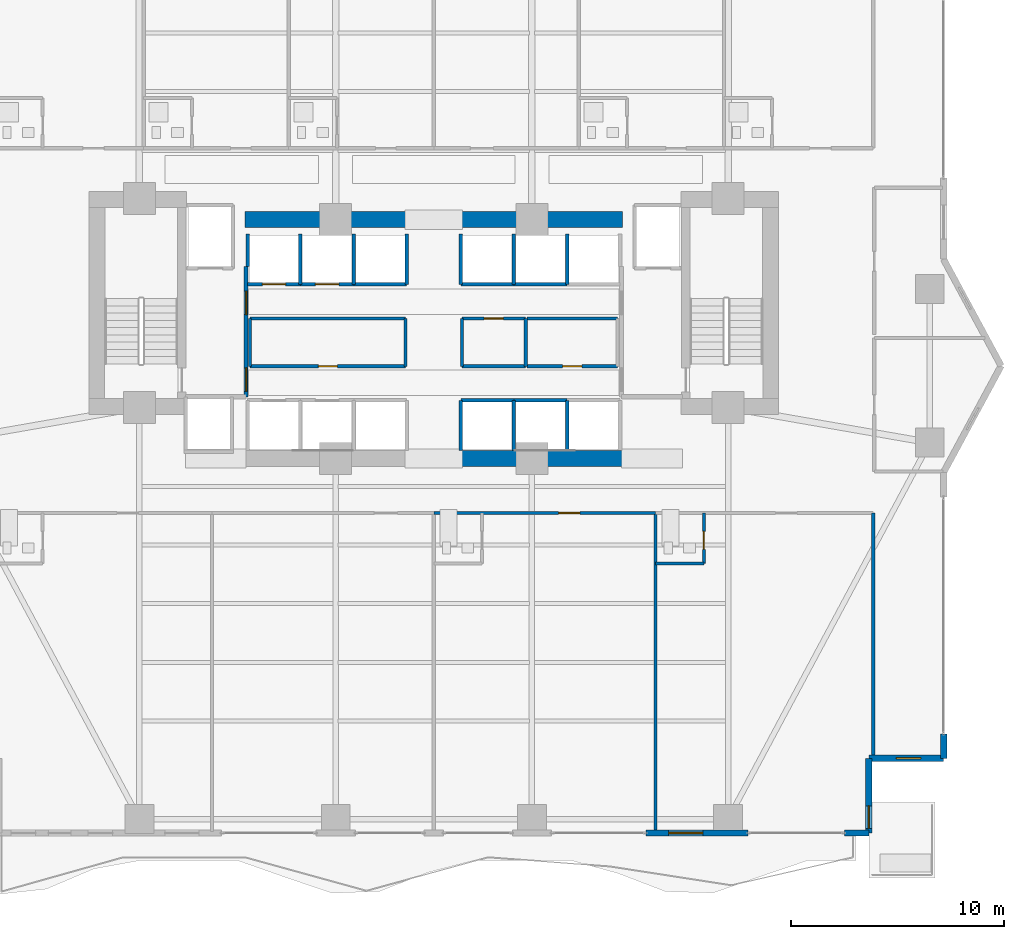
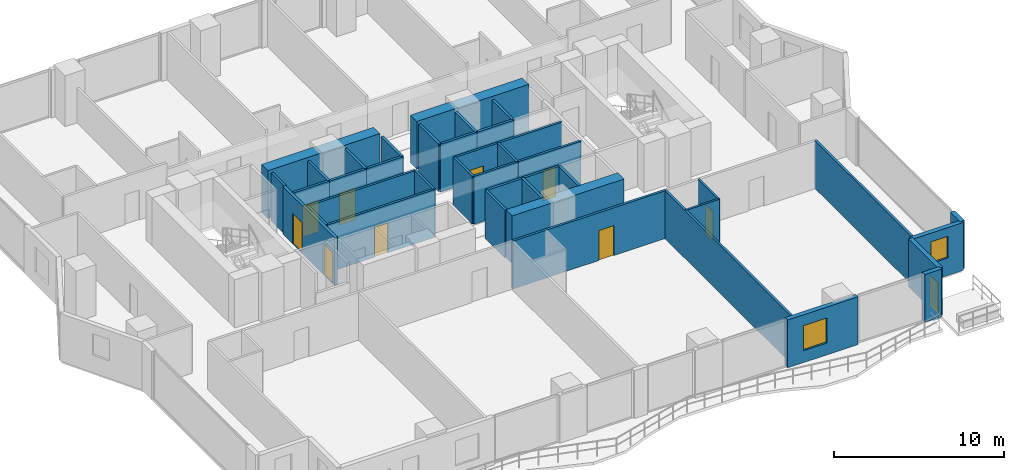
# One storey, part 22 of 30: 41 walls, 10 doors, 2 windows, 12 openings.
"""IFC4 building model written with IfcOpenShell, lengths in metres."""

from ifc_helpers import new_model, si_unit, direction, frame, frame_2d, origin, place, context, subcontext, project, spatial, rectangle, extrude, material, layer, layer_set, type_object, element, fill, save


model = new_model("IFC4")

# Units and contexts
model_context = context("Model", 3, precision=1e-05, world=origin(), true_north=direction((0.0, 1.0)))
body_context = subcontext(model_context, "Body", "Model", "MODEL_VIEW")
ifc_project = project(units=[si_unit("LENGTHUNIT", "METRE"), si_unit("AREAUNIT", "SQUARE_METRE"), si_unit("VOLUMEUNIT", "CUBIC_METRE"), si_unit("PLANEANGLEUNIT", "RADIAN"), si_unit("MASSUNIT", "GRAM", prefix="KILO")], contexts=[model_context])

# Site, building, storey
site_placement = place(None, origin())
site = spatial("IfcSite", under=ifc_project, at=site_placement, CompositionType="ELEMENT")
building_placement = place(site_placement, origin())
building = spatial("IfcBuilding", under=site, at=building_placement, Name="Zuhayl Quay Hotel", CompositionType="ELEMENT")
storey_placement = place(building_placement, frame((0.0, 0.0, 135.800048828125)))
storey = spatial("IfcBuildingStorey", under=building, at=storey_placement, Name="L34", CompositionType="ELEMENT", Elevation=135.800048828125)

# Walls
ifc_material_1 = material(Name="Concrete C60/75", Category="concrete")
ifc_layer_1 = layer(ifc_material_1, 0.75, Name="Concrete C60/75", Category="concrete")
ifc_layer_set_1 = layer_set([ifc_layer_1], Name="Concrete C60/75")
wall_type_1 = type_object("IfcWallType", Name="WL_CORE_750", PredefinedType="SHEAR", material=ifc_layer_set_1)
for number, where, z_axis, x_axis, name in (
    (1, (1.25, 2.14990234375, 0.0), (0.0, 0.0, 1.0), (1.0, 0.0, 0.0), "L34 Core Shear Wall CW_SC_E"),
    (2, (-8.85009765625, 13.35009765625, 0.0), (0.0, 0.0, 1.0), (1.0, 0.0, 0.0), "L34 Core Shear Wall CW_NC_W"),
    (3, (1.25, 13.35009765625, 0.0), (0.0, 0.0, 1.0), (1.0, 0.0, 0.0), "L34 Core Shear Wall CW_NC_E"),
):
    element("IfcWall", number, at=place(storey_placement, frame(where, z_axis=z_axis, x_axis=x_axis)), inside=storey, type_object=wall_type_1, Name=name, PredefinedType="SHEAR", context=body_context, shape_type="SweptSolid", body=[
        extrude(rectangle(XDim=7.60009765625, YDim=0.75, at=frame_2d((3.800048828125, 0.0))), origin(), (0.0, 0.0, 1.0), 3.429931640625),
    ])
ifc_material_2 = material(Name="Precast concrete C45/55", Category="concrete")
ifc_layer_2 = layer(ifc_material_2, 0.300048828125, Name="Precast concrete C45/55", Category="concrete")
ifc_layer_set_2 = layer_set([ifc_layer_2], Name="Precast concrete C45/55")
wall_type_2 = type_object("IfcWallType", Name="WL_EXT_300", PredefinedType="STANDARD", material=ifc_layer_set_2)
wall_1_placement = place(storey_placement, frame((23.89990234375, -10.75, 0.0), z_axis=(0.0, 0.0, 1.0), x_axis=(0.0, -1.0, 0.0)))
element("IfcWall", 4, at=wall_1_placement, inside=storey, type_object=wall_type_2, Name="L34 Exterior Precast Wall ENV_L34_E14_EW2", PredefinedType="STANDARD", context=body_context, shape_type="SweptSolid", body=[
    extrude(rectangle(XDim=1.14990234375, YDim=0.300048828125, at=frame_2d((0.574951171875, 0.0))), origin(), (0.0, 0.0, 1.0), 3.429931640625),
])

# Wall, opening, window
wall_2_placement = place(storey_placement, frame((23.89990234375, -11.89990234375, 0.0), z_axis=(0.0, 0.0, 1.0), x_axis=(-1.0, 0.0, 0.0)))
wall_2 = element("IfcWall", 5, at=wall_2_placement, inside=storey, type_object=wall_type_2, Name="L34 Exterior Precast Wall ENV_L34_EW15", PredefinedType="STANDARD", context=body_context, shape_type="SweptSolid", body=[
    extrude(rectangle(XDim=3.5, YDim=0.300048828125, at=frame_2d((1.75, 0.0))), origin(), (0.0, 0.0, 1.0), 3.429931640625),
])
opening_1_placement = place(wall_2_placement, frame((1.06494140625, 0.0, 1.25)))
opening_1 = element("IfcOpeningElement", 6, at=opening_1_placement, cuts=wall_2, Name="Opening W01N", PredefinedType="OPENING", context=body_context, shape_type="SweptSolid", body=[
    extrude(rectangle(XDim=1.14990234375, YDim=1.550048828125, at=frame_2d((0.574951171875, 0.77490234375))), frame((0.0, 0.159912109375, 0.0), z_axis=(0.0, -1.0, 0.0), x_axis=(1.0, 0.0, 0.0)), (0.0, 0.0, 1.0), 0.320068359375),
])
ifc_material_3 = material(Name="Dark Ceramic-Fritted Solar Glass", Category="glass")
window_type_1 = type_object("IfcWindowType", Name="WN_NOTCH_1350", PartitioningType="SINGLE_PANEL", PredefinedType="WINDOW", material=ifc_material_3)
window_1_placement = place(opening_1_placement, origin())
window_1 = element("IfcWindow", 7, at=window_1_placement, inside=storey, type_object=window_type_1, Name="L34 Corner Notch Window 15", OverallHeight=1.550048828125, OverallWidth=1.14990234375, PartitioningType="SINGLE_PANEL", PredefinedType="WINDOW", context=body_context, shape_type="SweptSolid", body=[
    extrude(rectangle(XDim=1.14990234375, YDim=1.550048828125, at=frame_2d((0.574951171875, 0.77490234375))), frame((0.0, 0.030029296875, 0.0), z_axis=(0.0, -1.0, 0.0), x_axis=(1.0, 0.0, 0.0)), (0.0, 0.0, 1.0), 0.06005859375),
])
fill(opening_1, window_1)

# Wall, opening, door
wall_3_placement = place(storey_placement, frame((20.39990234375, -11.89990234375, 0.0), z_axis=(0.0, 0.0, 1.0), x_axis=(0.0, -1.0, 0.0)))
wall_3 = element("IfcWall", 8, at=wall_3_placement, inside=storey, type_object=wall_type_2, Name="L34 Exterior Precast Wall ENV_L34_SP_SE", PredefinedType="STANDARD", context=body_context, shape_type="SweptSolid", body=[
    extrude(rectangle(XDim=3.5, YDim=0.300048828125, at=frame_2d((1.75, 0.0))), origin(), (0.0, 0.0, 1.0), 3.429931640625),
])
opening_2_placement = place(wall_3_placement, frame((2.22998046875, 0.0, 0.0)))
opening_2 = element("IfcOpeningElement", 9, at=opening_2_placement, cuts=wall_3, Name="Opening DG1", PredefinedType="OPENING", context=body_context, shape_type="SweptSolid", body=[
    extrude(rectangle(XDim=1.050048828125, YDim=2.199951171875, at=frame_2d((0.52490234375, 1.10009765625))), frame((0.0, 0.159912109375, 0.0), z_axis=(0.0, -1.0, 0.0), x_axis=(1.0, 0.0, 0.0)), (0.0, 0.0, 1.0), 0.320068359375),
])
ifc_material_4 = material(Name="Anodised Aluminium and Dark Solar Glass", Category="aluminium")
door_type_1 = type_object("IfcDoorType", Name="DR_EXT_TERR_1050", OperationType="NOTDEFINED", PredefinedType="DOOR", material=ifc_material_4)
door_1_placement = place(opening_2_placement, origin())
door_1 = element("IfcDoor", 10, at=door_1_placement, inside=storey, type_object=door_type_1, Name="L34 Spiral Sky-Terrace SE Access Door", OperationType="SINGLE_SWING_LEFT", OverallHeight=2.199951171875, OverallWidth=1.050048828125, PredefinedType="DOOR", context=body_context, shape_type="SweptSolid", body=[
    extrude(rectangle(XDim=1.050048828125, YDim=2.199951171875, at=frame_2d((0.52490234375, 1.10009765625))), frame((0.0, 0.02490234375, 0.0), z_axis=(0.0, -1.0, 0.0), x_axis=(1.0, 0.0, 0.0)), (0.0, 0.0, 1.0), 0.050048828125),
])
fill(opening_2, door_1)

# Wall
wall_4_placement = place(storey_placement, frame((20.39990234375, -15.39990234375, 0.0), z_axis=(0.0, 0.0, 1.0), x_axis=(-1.0, 0.0, 0.0)))
element("IfcWall", 11, at=wall_4_placement, inside=storey, type_object=wall_type_2, Name="L34 Exterior Precast Wall ENV_L34_S_EW1", PredefinedType="STANDARD", context=body_context, shape_type="SweptSolid", body=[
    extrude(rectangle(XDim=1.14990234375, YDim=0.300048828125, at=frame_2d((0.574951171875, 0.0))), origin(), (0.0, 0.0, 1.0), 3.429931640625),
])

# Wall, opening, window
wall_5_placement = place(storey_placement, frame((14.719970703125, -15.39990234375, 0.0), z_axis=(0.0, 0.0, 1.0), x_axis=(-1.0, 0.0, 0.0)))
wall_5 = element("IfcWall", 12, at=wall_5_placement, inside=storey, type_object=wall_type_2, Name="L34 Exterior Precast Wall ENV_L34_S_EW2", PredefinedType="STANDARD", context=body_context, shape_type="SweptSolid", body=[
    extrude(rectangle(XDim=4.77001953125, YDim=0.300048828125, at=frame_2d((2.385009765625, 0.0))), origin(), (0.0, 0.0, 1.0), 3.429931640625),
])
opening_3_placement = place(wall_5_placement, frame((2.110107421875, 0.0, 0.85009765625)))
opening_3 = element("IfcOpeningElement", 13, at=opening_3_placement, cuts=wall_5, Name="Opening W01", PredefinedType="OPENING", context=body_context, shape_type="SweptSolid", body=[
    extrude(rectangle(XDim=1.60009765625, YDim=1.800048828125, at=frame_2d((0.800048828125, 0.89990234375))), frame((0.0, 0.159912109375, 0.0), z_axis=(0.0, -1.0, 0.0), x_axis=(1.0, 0.0, 0.0)), (0.0, 0.0, 1.0), 0.320068359375),
])
window_type_2 = type_object("IfcWindowType", Name="WN_OPERABLE_1600", PartitioningType="DOUBLE_PANEL_VERTICAL", PredefinedType="WINDOW", material=ifc_material_3)
window_2_placement = place(opening_3_placement, origin())
window_2 = element("IfcWindow", 14, at=window_2_placement, inside=storey, type_object=window_type_2, Name="L34 Operable Facade Window 2-1", OverallHeight=1.800048828125, OverallWidth=1.60009765625, PartitioningType="SINGLE_PANEL", PredefinedType="WINDOW", context=body_context, shape_type="SweptSolid", body=[
    extrude(rectangle(XDim=1.60009765625, YDim=1.800048828125, at=frame_2d((0.800048828125, 0.89990234375))), frame((0.0, 0.030029296875, 0.0), z_axis=(0.0, -1.0, 0.0), x_axis=(1.0, 0.0, 0.0)), (0.0, 0.0, 1.0), 0.06005859375),
])
fill(opening_3, window_2)

# Wall, opening, door
ifc_material_5 = material(Name="Acoustic Gypsum Partition STC-58")
ifc_layer_3 = layer(ifc_material_5, 0.14990234375, Name="Acoustic Gypsum Partition STC-58")
ifc_layer_set_3 = layer_set([ifc_layer_3], Name="Acoustic Gypsum Partition STC-58")
wall_type_3 = type_object("IfcWallType", Name="WL_PART_150", PredefinedType="PARTITIONING", material=ifc_layer_set_3)
wall_6_placement = place(storey_placement, frame((-8.610107421875, 6.47998046875, 0.0), z_axis=(0.0, 0.0, 1.0), x_axis=(1.0, 0.0, 0.0)))
wall_6 = element("IfcWall", 15, at=wall_6_placement, inside=storey, type_object=wall_type_3, Name="L34 Partition IW_L34_CORE_EL_S", PredefinedType="PARTITIONING", context=body_context, shape_type="SweptSolid", body=[
    extrude(rectangle(XDim=7.2900390625, YDim=0.14990234375, at=frame_2d((3.64501953125, 0.0))), origin(), (0.0, 0.0, 1.0), 3.429931640625),
])
opening_4_placement = place(wall_6_placement, frame((3.195068359375, 0.0, 0.0)))
opening_4 = element("IfcOpeningElement", 16, at=opening_4_placement, cuts=wall_6, Name="Opening D06", PredefinedType="OPENING", context=body_context, shape_type="SweptSolid", body=[
    extrude(rectangle(XDim=0.89990234375, YDim=2.14990234375, at=frame_2d((0.449951171875, 1.074951171875))), frame((0.0, 0.0849609375, 0.0), z_axis=(0.0, -1.0, 0.0), x_axis=(1.0, 0.0, 0.0)), (0.0, 0.0, 1.0), 0.169921875),
])
ifc_material_6 = material(Name="Steel ASTM A992 Grade 50", Category="steel")
door_type_2 = type_object("IfcDoorType", Name="DR_INT_900", OperationType="NOTDEFINED", PredefinedType="DOOR", material=ifc_material_6)
door_2_placement = place(opening_4_placement, origin())
door_2 = element("IfcDoor", 17, at=door_2_placement, inside=storey, type_object=door_type_2, Name="L34 Floor Electrical Plant Room Door", OperationType="SINGLE_SWING_RIGHT", OverallHeight=2.14990234375, OverallWidth=0.89990234375, PredefinedType="DOOR", context=body_context, shape_type="SweptSolid", body=[
    extrude(rectangle(XDim=0.89990234375, YDim=2.14990234375, at=frame_2d((0.449951171875, 1.074951171875))), frame((0.0, 0.02490234375, 0.0), z_axis=(0.0, -1.0, 0.0), x_axis=(1.0, 0.0, 0.0)), (0.0, 0.0, 1.0), 0.050048828125),
])
fill(opening_4, door_2)

wall_7_placement = place(storey_placement, frame((1.320068359375, 8.719970703125, 0.0), z_axis=(0.0, 0.0, 1.0), x_axis=(1.0, 0.0, 0.0)))
wall_7 = element("IfcWall", 18, at=wall_7_placement, inside=storey, type_object=wall_type_3, Name="L34 Partition IW_L34_CORE_IT_N", PredefinedType="PARTITIONING", context=body_context, shape_type="SweptSolid", body=[
    extrude(rectangle(XDim=2.989990234375, YDim=0.14990234375, at=frame_2d((1.4951171875, 0.0))), origin(), (0.0, 0.0, 1.0), 3.429931640625),
])
opening_5_placement = place(wall_7_placement, frame((1.044921875, 0.0, 0.0)))
opening_5 = element("IfcOpeningElement", 19, at=opening_5_placement, cuts=wall_7, Name="Opening D06", PredefinedType="OPENING", context=body_context, shape_type="SweptSolid", body=[
    extrude(rectangle(XDim=0.89990234375, YDim=2.14990234375, at=frame_2d((0.449951171875, 1.074951171875))), frame((0.0, 0.0849609375, 0.0), z_axis=(0.0, -1.0, 0.0), x_axis=(1.0, 0.0, 0.0)), (0.0, 0.0, 1.0), 0.169921875),
])
door_3_placement = place(opening_5_placement, origin())
door_3 = element("IfcDoor", 20, at=door_3_placement, inside=storey, type_object=door_type_2, Name="L34 Telecom Closet Door", OperationType="SINGLE_SWING_LEFT", OverallHeight=2.14990234375, OverallWidth=0.89990234375, PredefinedType="DOOR", context=body_context, shape_type="SweptSolid", body=[
    extrude(rectangle(XDim=0.89990234375, YDim=2.14990234375, at=frame_2d((0.449951171875, 1.074951171875))), frame((0.0, 0.02490234375, 0.0), z_axis=(0.0, -1.0, 0.0), x_axis=(1.0, 0.0, 0.0)), (0.0, 0.0, 1.0), 0.050048828125),
])
fill(opening_5, door_3)

wall_8_placement = place(storey_placement, frame((4.3701171875, 6.47998046875, 0.0), z_axis=(0.0, 0.0, 1.0), x_axis=(1.0, 0.0, 0.0)))
wall_8 = element("IfcWall", 21, at=wall_8_placement, inside=storey, type_object=wall_type_3, Name="L34 Partition IW_L34_CORE_LN_S", PredefinedType="PARTITIONING", context=body_context, shape_type="SweptSolid", body=[
    extrude(rectangle(XDim=4.239990234375, YDim=0.14990234375, at=frame_2d((2.1201171875, 0.0))), origin(), (0.0, 0.0, 1.0), 3.429931640625),
])
opening_6_placement = place(wall_8_placement, frame((1.669921875, 0.0, 0.0)))
opening_6 = element("IfcOpeningElement", 22, at=opening_6_placement, cuts=wall_8, Name="Opening D06", PredefinedType="OPENING", context=body_context, shape_type="SweptSolid", body=[
    extrude(rectangle(XDim=0.89990234375, YDim=2.14990234375, at=frame_2d((0.449951171875, 1.074951171875))), frame((0.0, 0.0849609375, 0.0), z_axis=(0.0, -1.0, 0.0), x_axis=(1.0, 0.0, 0.0)), (0.0, 0.0, 1.0), 0.169921875),
])
door_4_placement = place(opening_6_placement, origin())
door_4 = element("IfcDoor", 23, at=door_4_placement, inside=storey, type_object=door_type_2, Name="L34 Core Linen Store Door", OperationType="SINGLE_SWING_RIGHT", OverallHeight=2.14990234375, OverallWidth=0.89990234375, PredefinedType="DOOR", context=body_context, shape_type="SweptSolid", body=[
    extrude(rectangle(XDim=0.89990234375, YDim=2.14990234375, at=frame_2d((0.449951171875, 1.074951171875))), frame((0.0, 0.02490234375, 0.0), z_axis=(0.0, -1.0, 0.0), x_axis=(1.0, 0.0, 0.0)), (0.0, 0.0, 1.0), 0.050048828125),
])
fill(opening_6, door_4)

# Walls
wall_9_placement = place(storey_placement, frame((-8.610107421875, 8.719970703125, 0.0), z_axis=(0.0, 0.0, 1.0), x_axis=(1.0, 0.0, 0.0)))
element("IfcWall", 24, at=wall_9_placement, inside=storey, type_object=wall_type_3, Name="L34 Partition IW_L34_CORE_EL_N", PredefinedType="PARTITIONING", context=body_context, shape_type="SweptSolid", body=[
    extrude(rectangle(XDim=7.2900390625, YDim=0.14990234375, at=frame_2d((3.64501953125, 0.0))), origin(), (0.0, 0.0, 1.0), 3.429931640625),
])
for number, where, z_axis, x_axis, name in (
    (25, (-8.610107421875, 6.47998046875, 0.0), (0.0, 0.0, 1.0), (0.0, 1.0, 0.0), "L34 Partition IW_L34_CORE_EL_W"),
    (26, (-1.320068359375, 6.47998046875, 0.0), (0.0, 0.0, 1.0), (0.0, 1.0, 0.0), "L34 Partition IW_L34_CORE_EL_E"),
):
    element("IfcWall", number, at=place(storey_placement, frame(where, z_axis=z_axis, x_axis=x_axis)), inside=storey, type_object=wall_type_3, Name=name, PredefinedType="PARTITIONING", context=body_context, shape_type="SweptSolid", body=[
        extrude(rectangle(XDim=2.239990234375, YDim=0.14990234375, at=frame_2d((1.1201171875, 0.0))), origin(), (0.0, 0.0, 1.0), 3.429931640625),
    ])
wall_10_placement = place(storey_placement, frame((1.320068359375, 6.47998046875, 0.0), z_axis=(0.0, 0.0, 1.0), x_axis=(1.0, 0.0, 0.0)))
element("IfcWall", 27, at=wall_10_placement, inside=storey, type_object=wall_type_3, Name="L34 Partition IW_L34_CORE_IT_S", PredefinedType="PARTITIONING", context=body_context, shape_type="SweptSolid", body=[
    extrude(rectangle(XDim=2.989990234375, YDim=0.14990234375, at=frame_2d((1.4951171875, 0.0))), origin(), (0.0, 0.0, 1.0), 3.429931640625),
])
for number, where, z_axis, x_axis, name in (
    (28, (1.320068359375, 6.47998046875, 0.0), (0.0, 0.0, 1.0), (0.0, 1.0, 0.0), "L34 Partition IW_L34_CORE_IT_W"),
    (29, (4.31005859375, 6.47998046875, 0.0), (0.0, 0.0, 1.0), (0.0, 1.0, 0.0), "L34 Partition IW_L34_CORE_IT_E"),
):
    element("IfcWall", number, at=place(storey_placement, frame(where, z_axis=z_axis, x_axis=x_axis)), inside=storey, type_object=wall_type_3, Name=name, PredefinedType="PARTITIONING", context=body_context, shape_type="SweptSolid", body=[
        extrude(rectangle(XDim=2.239990234375, YDim=0.14990234375, at=frame_2d((1.1201171875, 0.0))), origin(), (0.0, 0.0, 1.0), 3.429931640625),
    ])
wall_11_placement = place(storey_placement, frame((4.3701171875, 8.719970703125, 0.0), z_axis=(0.0, 0.0, 1.0), x_axis=(1.0, 0.0, 0.0)))
element("IfcWall", 30, at=wall_11_placement, inside=storey, type_object=wall_type_3, Name="L34 Partition IW_L34_CORE_LN_N", PredefinedType="PARTITIONING", context=body_context, shape_type="SweptSolid", body=[
    extrude(rectangle(XDim=4.239990234375, YDim=0.14990234375, at=frame_2d((2.1201171875, 0.0))), origin(), (0.0, 0.0, 1.0), 3.429931640625),
])
wall_12_placement = place(storey_placement, frame((10.39990234375, -15.320068359375, 0.0), z_axis=(0.0, 0.0, 1.0), x_axis=(0.0, 1.0, 0.0)))
element("IfcWall", 31, at=wall_12_placement, inside=storey, type_object=wall_type_3, Name="L34 Partition IW_L34_SU03_E", PredefinedType="PARTITIONING", context=body_context, shape_type="SweptSolid", body=[
    extrude(rectangle(XDim=14.920166015625, YDim=0.14990234375, at=frame_2d((7.4599609375, 0.0))), origin(), (0.0, 0.0, 1.0), 3.429931640625),
])
wall_13_placement = place(storey_placement, frame((20.60009765625, -11.89990234375, 0.0), z_axis=(0.0, 0.0, 1.0), x_axis=(0.0, 1.0, 0.0)))
element("IfcWall", 32, at=wall_13_placement, inside=storey, type_object=wall_type_3, Name="L34 Partition IW_L34_SU04_E", PredefinedType="PARTITIONING", context=body_context, shape_type="SweptSolid", body=[
    extrude(rectangle(XDim=11.5, YDim=0.14990234375, at=frame_2d((5.75, 0.0))), origin(), (0.0, 0.0, 1.0), 3.429931640625),
])

# Wall, opening, door
ifc_layer_4 = layer(ifc_material_5, 0.159912109375, Name="Acoustic Gypsum Partition STC-58")
ifc_layer_set_4 = layer_set([ifc_layer_4], Name="Acoustic Gypsum Partition STC-58")
wall_type_4 = type_object("IfcWallType", Name="WL_PART_CORR_160", PredefinedType="PARTITIONING", material=ifc_layer_set_4)
wall_14_placement = place(storey_placement, frame((0.0, -0.39990234375, 0.0), z_axis=(0.0, 0.0, 1.0), x_axis=(1.0, 0.0, 0.0)))
wall_14 = element("IfcWall", 33, at=wall_14_placement, inside=storey, type_object=wall_type_4, Name="L34 Partition IW_L34_SU03_COR", PredefinedType="PARTITIONING", context=body_context, shape_type="SweptSolid", body=[
    extrude(rectangle(XDim=10.39990234375, YDim=0.159912109375, at=frame_2d((5.199951171875, 0.0))), origin(), (0.0, 0.0, 1.0), 3.429931640625),
])
opening_7_placement = place(wall_14_placement, frame((5.85009765625, 0.0, 0.0)))
opening_7 = element("IfcOpeningElement", 34, at=opening_7_placement, cuts=wall_14, Name="Opening D03L", PredefinedType="OPENING", context=body_context, shape_type="SweptSolid", body=[
    extrude(rectangle(XDim=1.0, YDim=2.14990234375, at=frame_2d((0.5, 1.074951171875))), frame((0.0, 0.08984375, 0.0), z_axis=(0.0, -1.0, 0.0), x_axis=(1.0, 0.0, 0.0)), (0.0, 0.0, 1.0), 0.179931640625),
])
ifc_material_7 = material(Name="Solid Walnut Acoustic Fire Door")
door_type_3 = type_object("IfcDoorType", Name="DR_SUITE_1000", OperationType="NOTDEFINED", PredefinedType="DOOR", material=ifc_material_7)
door_5_placement = place(opening_7_placement, origin())
door_5 = element("IfcDoor", 35, at=door_5_placement, inside=storey, type_object=door_type_3, Name="L34 City-View Junior Suite L34-03 Entrance Door", OperationType="SINGLE_SWING_RIGHT", OverallHeight=2.14990234375, OverallWidth=1.0, PredefinedType="DOOR", context=body_context, shape_type="SweptSolid", body=[
    extrude(rectangle(XDim=1.0, YDim=2.14990234375, at=frame_2d((0.5, 1.074951171875))), frame((0.0, 0.02490234375, 0.0), z_axis=(0.0, -1.0, 0.0), x_axis=(1.0, 0.0, 0.0)), (0.0, 0.0, 1.0), 0.050048828125),
])
fill(opening_7, door_5)

ifc_material_8 = material(Name="Moisture-Resistant Sanitarychase Gypsum")
ifc_layer_5 = layer(ifc_material_8, 0.135009765625, Name="Moisture-Resistant Sanitarychase Gypsum")
ifc_layer_set_5 = layer_set([ifc_layer_5], Name="Moisture-Resistant Sanitarychase Gypsum")
wall_type_5 = type_object("IfcWallType", Name="WL_PART_PLUMB_150", PredefinedType="PLUMBINGWALL", material=ifc_layer_set_5)
wall_15_placement = place(storey_placement, frame((12.659912109375, -2.760009765625, 0.0), z_axis=(0.0, 0.0, 1.0), x_axis=(0.0, 1.0, 0.0)))
wall_15 = element("IfcWall", 36, at=wall_15_placement, inside=storey, type_object=wall_type_5, Name="L34 Partition IW_L34_SU04_BE", PredefinedType="PLUMBINGWALL", context=body_context, shape_type="SweptSolid", body=[
    extrude(rectangle(XDim=2.360107421875, YDim=0.135009765625, at=frame_2d((1.18017578125, 0.0))), origin(), (0.0, 0.0, 1.0), 3.429931640625),
])
opening_8_placement = place(wall_15_placement, frame((0.64990234375, 0.0, 0.0)))
opening_8 = element("IfcOpeningElement", 37, at=opening_8_placement, cuts=wall_15, Name="Opening D04", PredefinedType="OPENING", context=body_context, shape_type="SweptSolid", body=[
    extrude(rectangle(XDim=0.85009765625, YDim=2.10009765625, at=frame_2d((0.425048828125, 1.050048828125))), frame((0.0, 0.077392578125, 0.0), z_axis=(0.0, -1.0, 0.0), x_axis=(1.0, 0.0, 0.0)), (0.0, 0.0, 1.0), 0.155029296875),
])
ifc_material_9 = material(Name="Moisture-Resistant Walnut Veneer")
door_type_4 = type_object("IfcDoorType", Name="DR_BATH_850", OperationType="NOTDEFINED", PredefinedType="DOOR", material=ifc_material_9)
door_6_placement = place(opening_8_placement, origin())
door_6 = element("IfcDoor", 38, at=door_6_placement, inside=storey, type_object=door_type_4, Name="L34 City-View Junior Suite L34-04 En-Suite Door", OperationType="SINGLE_SWING_LEFT", OverallHeight=2.10009765625, OverallWidth=0.85009765625, PredefinedType="DOOR", context=body_context, shape_type="SweptSolid", body=[
    extrude(rectangle(XDim=0.85009765625, YDim=2.10009765625, at=frame_2d((0.425048828125, 1.050048828125))), frame((0.0, 0.02490234375, 0.0), z_axis=(0.0, -1.0, 0.0), x_axis=(1.0, 0.0, 0.0)), (0.0, 0.0, 1.0), 0.050048828125),
])
fill(opening_8, door_6)

# Wall
wall_16_placement = place(storey_placement, frame((10.39990234375, -2.760009765625, 0.0), z_axis=(0.0, 0.0, 1.0), x_axis=(1.0, 0.0, 0.0)))
element("IfcWall", 39, at=wall_16_placement, inside=storey, type_object=wall_type_5, Name="L34 Partition IW_L34_SU04_BS", PredefinedType="PLUMBINGWALL", context=body_context, shape_type="SweptSolid", body=[
    extrude(rectangle(XDim=2.260009765625, YDim=0.135009765625, at=frame_2d((1.1298828125, 0.0))), origin(), (0.0, 0.0, 1.0), 3.429931640625),
])

# Wall, opening, door
ifc_material_10 = material(Name="Gypsum Fireboard Assembly EI-90")
ifc_layer_6 = layer(ifc_material_10, 0.1650390625, Name="Gypsum Fireboard Assembly EI-90")
ifc_layer_set_6 = layer_set([ifc_layer_6], Name="Gypsum Fireboard Assembly EI-90")
wall_type_6 = type_object("IfcWallType", Name="WL_PART_SHAFT_160", PredefinedType="PARTITIONING", material=ifc_layer_set_6)
wall_17_placement = place(storey_placement, frame((-8.72998046875, 10.320068359375, 0.0), z_axis=(0.0, 0.0, 1.0), x_axis=(1.0, 0.0, 0.0)))
wall_17 = element("IfcWall", 40, at=wall_17_placement, inside=storey, type_object=wall_type_6, Name="L34 Partition IW_L34_SH_LP3_F", PredefinedType="PARTITIONING", context=body_context, shape_type="SweptSolid", body=[
    extrude(rectangle(XDim=2.47998046875, YDim=0.1650390625, at=frame_2d((1.239990234375, 0.0))), origin(), (0.0, 0.0, 1.0), 3.429931640625),
])
opening_9_placement = place(wall_17_placement, frame((0.68994140625, 0.0, 0.0)))
opening_9 = element("IfcOpeningElement", 41, at=opening_9_placement, cuts=wall_17, Name="Opening LD1", PredefinedType="OPENING", context=body_context, shape_type="SweptSolid", body=[
    extrude(rectangle(XDim=1.10009765625, YDim=2.25, at=frame_2d((0.550048828125, 1.125))), frame((0.0, 0.092529296875, 0.0), z_axis=(0.0, -1.0, 0.0), x_axis=(1.0, 0.0, 0.0)), (0.0, 0.0, 1.0), 0.18505859375),
])
ifc_material_11 = material(Name="Brushed Stainless Steel", Category="steel")
door_type_5 = type_object("IfcDoorType", Name="DR_LIFT_PASS_1100", OperationType="SLIDING_TO_LEFT", PredefinedType="DOOR", material=ifc_material_11)
door_7_placement = place(opening_9_placement, origin())
door_7 = element("IfcDoor", 42, at=door_7_placement, inside=storey, type_object=door_type_5, Name="L34 Lift LP3 Sliding Landing Door", OperationType="SLIDING_TO_LEFT", OverallHeight=2.25, OverallWidth=1.10009765625, PredefinedType="DOOR", context=body_context, shape_type="SweptSolid", body=[
    extrude(rectangle(XDim=1.10009765625, YDim=2.25, at=frame_2d((0.550048828125, 1.125))), frame((0.0, 0.02490234375, 0.0), z_axis=(0.0, -1.0, 0.0), x_axis=(1.0, 0.0, 0.0)), (0.0, 0.0, 1.0), 0.050048828125),
])
fill(opening_9, door_7)

wall_18_placement = place(storey_placement, frame((-6.25, 10.320068359375, 0.0), z_axis=(0.0, 0.0, 1.0), x_axis=(1.0, 0.0, 0.0)))
wall_18 = element("IfcWall", 43, at=wall_18_placement, inside=storey, type_object=wall_type_6, Name="L34 Partition IW_L34_SH_LP4_F", PredefinedType="PARTITIONING", context=body_context, shape_type="SweptSolid", body=[
    extrude(rectangle(XDim=2.5, YDim=0.1650390625, at=frame_2d((1.25, 0.0))), origin(), (0.0, 0.0, 1.0), 3.429931640625),
])
opening_10_placement = place(wall_18_placement, frame((0.699951171875, 0.0, 0.0)))
opening_10 = element("IfcOpeningElement", 44, at=opening_10_placement, cuts=wall_18, Name="Opening LD1", PredefinedType="OPENING", context=body_context, shape_type="SweptSolid", body=[
    extrude(rectangle(XDim=1.10009765625, YDim=2.25, at=frame_2d((0.550048828125, 1.125))), frame((0.0, 0.092529296875, 0.0), z_axis=(0.0, -1.0, 0.0), x_axis=(1.0, 0.0, 0.0)), (0.0, 0.0, 1.0), 0.18505859375),
])
door_8_placement = place(opening_10_placement, origin())
door_8 = element("IfcDoor", 45, at=door_8_placement, inside=storey, type_object=door_type_5, Name="L34 Lift LP4 Sliding Landing Door", OperationType="SLIDING_TO_LEFT", OverallHeight=2.25, OverallWidth=1.10009765625, PredefinedType="DOOR", context=body_context, shape_type="SweptSolid", body=[
    extrude(rectangle(XDim=1.10009765625, YDim=2.25, at=frame_2d((0.550048828125, 1.125))), frame((0.0, 0.02490234375, 0.0), z_axis=(0.0, -1.0, 0.0), x_axis=(1.0, 0.0, 0.0)), (0.0, 0.0, 1.0), 0.050048828125),
])
fill(opening_10, door_8)

# Walls
wall_19_placement = place(storey_placement, frame((-8.72998046875, 11.14990234375, 0.0), z_axis=(0.0, 0.0, 1.0), x_axis=(0.0, 1.0, 0.0)))
element("IfcWall", 46, at=wall_19_placement, inside=storey, type_object=wall_type_6, Name="L34 Partition IW_L34_SH_LP3_W", PredefinedType="PARTITIONING", context=body_context, shape_type="SweptSolid", body=[
    extrude(rectangle(XDim=1.530029296875, YDim=0.1650390625, at=frame_2d((0.76513671875, 0.0))), origin(), (0.0, 0.0, 1.0), 3.429931640625),
])
for number, where, z_axis, x_axis, name in (
    (47, (-6.25, 10.320068359375, 0.0), (0.0, 0.0, 1.0), (0.0, 1.0, 0.0), "L34 Partition IW_L34_SH_LP3_E"),
    (48, (-3.75, 10.320068359375, 0.0), (0.0, 0.0, 1.0), (0.0, 1.0, 0.0), "L34 Partition IW_L34_SH_LP4_E"),
):
    element("IfcWall", number, at=place(storey_placement, frame(where, z_axis=z_axis, x_axis=x_axis)), inside=storey, type_object=wall_type_6, Name=name, PredefinedType="PARTITIONING", context=body_context, shape_type="SweptSolid", body=[
        extrude(rectangle(XDim=2.35986328125, YDim=0.1650390625, at=frame_2d((1.179931640625, 0.0))), origin(), (0.0, 0.0, 1.0), 3.429931640625),
    ])
wall_20_placement = place(storey_placement, frame((1.27001953125, 4.8798828125, 0.0), z_axis=(0.0, 0.0, 1.0), x_axis=(1.0, 0.0, 0.0)))
element("IfcWall", 49, at=wall_20_placement, inside=storey, type_object=wall_type_6, Name="L34 Partition IW_L34_SH_MP2_F", PredefinedType="PARTITIONING", context=body_context, shape_type="SweptSolid", body=[
    extrude(rectangle(XDim=2.47998046875, YDim=0.1650390625, at=frame_2d((1.239990234375, 0.0))), origin(), (0.0, 0.0, 1.0), 3.429931640625),
])
for number, where, z_axis, x_axis, name in (
    (50, (1.27001953125, 2.52001953125, 0.0), (0.0, 0.0, 1.0), (0.0, 1.0, 0.0), "L34 Partition IW_L34_SH_MP2_W"),
    (51, (3.75, 2.52001953125, 0.0), (0.0, 0.0, 1.0), (0.0, 1.0, 0.0), "L34 Partition IW_L34_SH_MP2_E"),
):
    element("IfcWall", number, at=place(storey_placement, frame(where, z_axis=z_axis, x_axis=x_axis)), inside=storey, type_object=wall_type_6, Name=name, PredefinedType="PARTITIONING", context=body_context, shape_type="SweptSolid", body=[
        extrude(rectangle(XDim=2.35986328125, YDim=0.1650390625, at=frame_2d((1.179931640625, 0.0))), origin(), (0.0, 0.0, 1.0), 3.429931640625),
    ])
wall_21_placement = place(storey_placement, frame((-3.75, 10.320068359375, 0.0), z_axis=(0.0, 0.0, 1.0), x_axis=(1.0, 0.0, 0.0)))
element("IfcWall", 52, at=wall_21_placement, inside=storey, type_object=wall_type_6, Name="L34 Partition IW_L34_SH_MP3_F", PredefinedType="PARTITIONING", context=body_context, shape_type="SweptSolid", body=[
    extrude(rectangle(XDim=2.47998046875, YDim=0.1650390625, at=frame_2d((1.239990234375, 0.0))), origin(), (0.0, 0.0, 1.0), 3.429931640625),
])
wall_22_placement = place(storey_placement, frame((-1.27001953125, 10.320068359375, 0.0), z_axis=(0.0, 0.0, 1.0), x_axis=(0.0, 1.0, 0.0)))
element("IfcWall", 53, at=wall_22_placement, inside=storey, type_object=wall_type_6, Name="L34 Partition IW_L34_SH_MP3_E", PredefinedType="PARTITIONING", context=body_context, shape_type="SweptSolid", body=[
    extrude(rectangle(XDim=2.35986328125, YDim=0.1650390625, at=frame_2d((1.179931640625, 0.0))), origin(), (0.0, 0.0, 1.0), 3.429931640625),
])
wall_23_placement = place(storey_placement, frame((1.27001953125, 10.320068359375, 0.0), z_axis=(0.0, 0.0, 1.0), x_axis=(1.0, 0.0, 0.0)))
element("IfcWall", 54, at=wall_23_placement, inside=storey, type_object=wall_type_6, Name="L34 Partition IW_L34_SH_MP4_F", PredefinedType="PARTITIONING", context=body_context, shape_type="SweptSolid", body=[
    extrude(rectangle(XDim=2.47998046875, YDim=0.1650390625, at=frame_2d((1.239990234375, 0.0))), origin(), (0.0, 0.0, 1.0), 3.429931640625),
])
for number, where, z_axis, x_axis, name in (
    (55, (1.27001953125, 10.320068359375, 0.0), (0.0, 0.0, 1.0), (0.0, 1.0, 0.0), "L34 Partition IW_L34_SH_MP4_W"),
    (56, (3.75, 10.320068359375, 0.0), (0.0, 0.0, 1.0), (0.0, 1.0, 0.0), "L34 Partition IW_L34_SH_MP4_E"),
):
    element("IfcWall", number, at=place(storey_placement, frame(where, z_axis=z_axis, x_axis=x_axis)), inside=storey, type_object=wall_type_6, Name=name, PredefinedType="PARTITIONING", context=body_context, shape_type="SweptSolid", body=[
        extrude(rectangle(XDim=2.35986328125, YDim=0.1650390625, at=frame_2d((1.179931640625, 0.0))), origin(), (0.0, 0.0, 1.0), 3.429931640625),
    ])
wall_24_placement = place(storey_placement, frame((3.75, 4.8798828125, 0.0), z_axis=(0.0, 0.0, 1.0), x_axis=(1.0, 0.0, 0.0)))
element("IfcWall", 57, at=wall_24_placement, inside=storey, type_object=wall_type_6, Name="L34 Partition IW_L34_SH_HP1_F", PredefinedType="PARTITIONING", context=body_context, shape_type="SweptSolid", body=[
    extrude(rectangle(XDim=2.5, YDim=0.1650390625, at=frame_2d((1.25, 0.0))), origin(), (0.0, 0.0, 1.0), 3.429931640625),
])
wall_25_placement = place(storey_placement, frame((6.25, 2.52001953125, 0.0), z_axis=(0.0, 0.0, 1.0), x_axis=(0.0, 1.0, 0.0)))
element("IfcWall", 58, at=wall_25_placement, inside=storey, type_object=wall_type_6, Name="L34 Partition IW_L34_SH_HP1_E", PredefinedType="PARTITIONING", context=body_context, shape_type="SweptSolid", body=[
    extrude(rectangle(XDim=2.35986328125, YDim=0.1650390625, at=frame_2d((1.179931640625, 0.0))), origin(), (0.0, 0.0, 1.0), 3.429931640625),
])
wall_26_placement = place(storey_placement, frame((3.75, 10.320068359375, 0.0), z_axis=(0.0, 0.0, 1.0), x_axis=(1.0, 0.0, 0.0)))
element("IfcWall", 59, at=wall_26_placement, inside=storey, type_object=wall_type_6, Name="L34 Partition IW_L34_SH_HP3_F", PredefinedType="PARTITIONING", context=body_context, shape_type="SweptSolid", body=[
    extrude(rectangle(XDim=2.5, YDim=0.1650390625, at=frame_2d((1.25, 0.0))), origin(), (0.0, 0.0, 1.0), 3.429931640625),
])
wall_27_placement = place(storey_placement, frame((6.25, 10.320068359375, 0.0), z_axis=(0.0, 0.0, 1.0), x_axis=(0.0, 1.0, 0.0)))
element("IfcWall", 60, at=wall_27_placement, inside=storey, type_object=wall_type_6, Name="L34 Partition IW_L34_SH_HP3_E", PredefinedType="PARTITIONING", context=body_context, shape_type="SweptSolid", body=[
    extrude(rectangle(XDim=2.35986328125, YDim=0.1650390625, at=frame_2d((1.179931640625, 0.0))), origin(), (0.0, 0.0, 1.0), 3.429931640625),
])

# Wall, openings, doors
ifc_material_12 = material(Name="Gypsum Fireboard Assembly EI-120")
ifc_layer_7 = layer(ifc_material_12, 0.199951171875, Name="Gypsum Fireboard Assembly EI-120")
ifc_layer_set_7 = layer_set([ifc_layer_7], Name="Gypsum Fireboard Assembly EI-120")
wall_type_7 = type_object("IfcWallType", Name="WL_PART_SHAFT_200", PredefinedType="PARTITIONING", material=ifc_layer_set_7)
wall_28_placement = place(storey_placement, frame((-8.800048828125, 5.050048828125, 0.0), z_axis=(0.0, 0.0, 1.0), x_axis=(0.0, 1.0, 0.0)))
wall_28 = element("IfcWall", 61, at=wall_28_placement, inside=storey, type_object=wall_type_7, Name="L34 Partition IW_L34_FSAE_W_E", PredefinedType="PARTITIONING", context=body_context, shape_type="SweptSolid", body=[
    extrude(rectangle(XDim=6.099853515625, YDim=0.199951171875, at=frame_2d((3.0498046875, 0.0))), origin(), (0.0, 0.0, 1.0), 3.429931640625),
])
opening_11_placement = place(wall_28_placement, frame((0.25, 0.0, 0.0)))
opening_11 = element("IfcOpeningElement", 62, at=opening_11_placement, cuts=wall_28, Name="Opening D02", PredefinedType="OPENING", context=body_context, shape_type="SweptSolid", body=[
    extrude(rectangle(XDim=1.10009765625, YDim=2.199951171875, at=frame_2d((0.550048828125, 1.10009765625))), frame((0.0, 0.10986328125, 0.0), z_axis=(0.0, -1.0, 0.0), x_axis=(1.0, 0.0, 0.0)), (0.0, 0.0, 1.0), 0.219970703125),
])
opening_12_placement = place(wall_28_placement, frame((3.85009765625, 0.0, 0.0)))
opening_12 = element("IfcOpeningElement", 63, at=opening_12_placement, cuts=wall_28, Name="Opening D02", PredefinedType="OPENING", context=body_context, shape_type="SweptSolid", body=[
    extrude(rectangle(XDim=1.10009765625, YDim=2.199951171875, at=frame_2d((0.550048828125, 1.10009765625))), frame((0.0, 0.10986328125, 0.0), z_axis=(0.0, -1.0, 0.0), x_axis=(1.0, 0.0, 0.0)), (0.0, 0.0, 1.0), 0.219970703125),
])
door_type_6 = type_object("IfcDoorType", Name="DR_FIRE_90_1100", OperationType="NOTDEFINED", PredefinedType="DOOR", material=ifc_material_6)
door_9_placement = place(opening_11_placement, origin())
door_9 = element("IfcDoor", 64, at=door_9_placement, inside=storey, type_object=door_type_6, Name="L34 FSAE Lobby West South Entry Door", OperationType="SINGLE_SWING_RIGHT", OverallHeight=2.199951171875, OverallWidth=1.10009765625, PredefinedType="DOOR", context=body_context, shape_type="SweptSolid", body=[
    extrude(rectangle(XDim=1.10009765625, YDim=2.199951171875, at=frame_2d((0.550048828125, 1.10009765625))), frame((0.0, 0.02490234375, 0.0), z_axis=(0.0, -1.0, 0.0), x_axis=(1.0, 0.0, 0.0)), (0.0, 0.0, 1.0), 0.050048828125),
])
fill(opening_11, door_9)
door_10_placement = place(opening_12_placement, origin())
door_10 = element("IfcDoor", 65, at=door_10_placement, inside=storey, type_object=door_type_6, Name="L34 FSAE Lobby West North Entry Door", OperationType="SINGLE_SWING_LEFT", OverallHeight=2.199951171875, OverallWidth=1.10009765625, PredefinedType="DOOR", context=body_context, shape_type="SweptSolid", body=[
    extrude(rectangle(XDim=1.10009765625, YDim=2.199951171875, at=frame_2d((0.550048828125, 1.10009765625))), frame((0.0, 0.02490234375, 0.0), z_axis=(0.0, -1.0, 0.0), x_axis=(1.0, 0.0, 0.0)), (0.0, 0.0, 1.0), 0.050048828125),
])
fill(opening_12, door_10)

save(model, "model.ifc")
